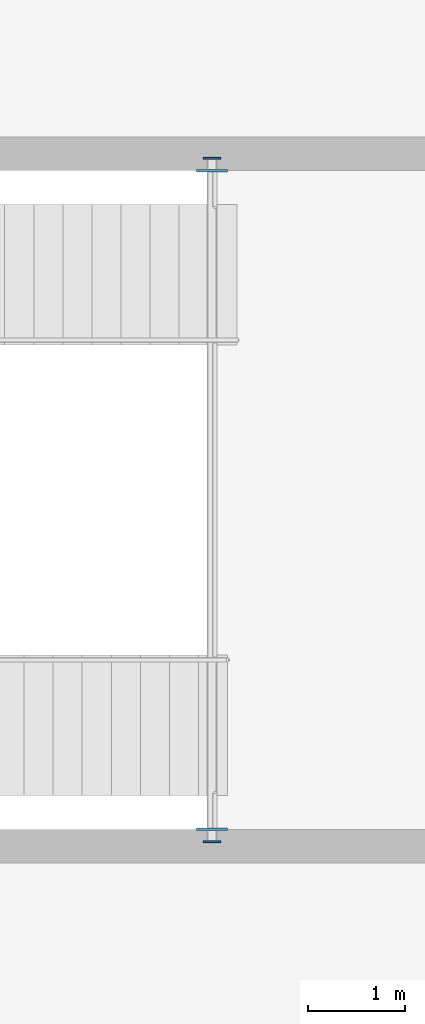
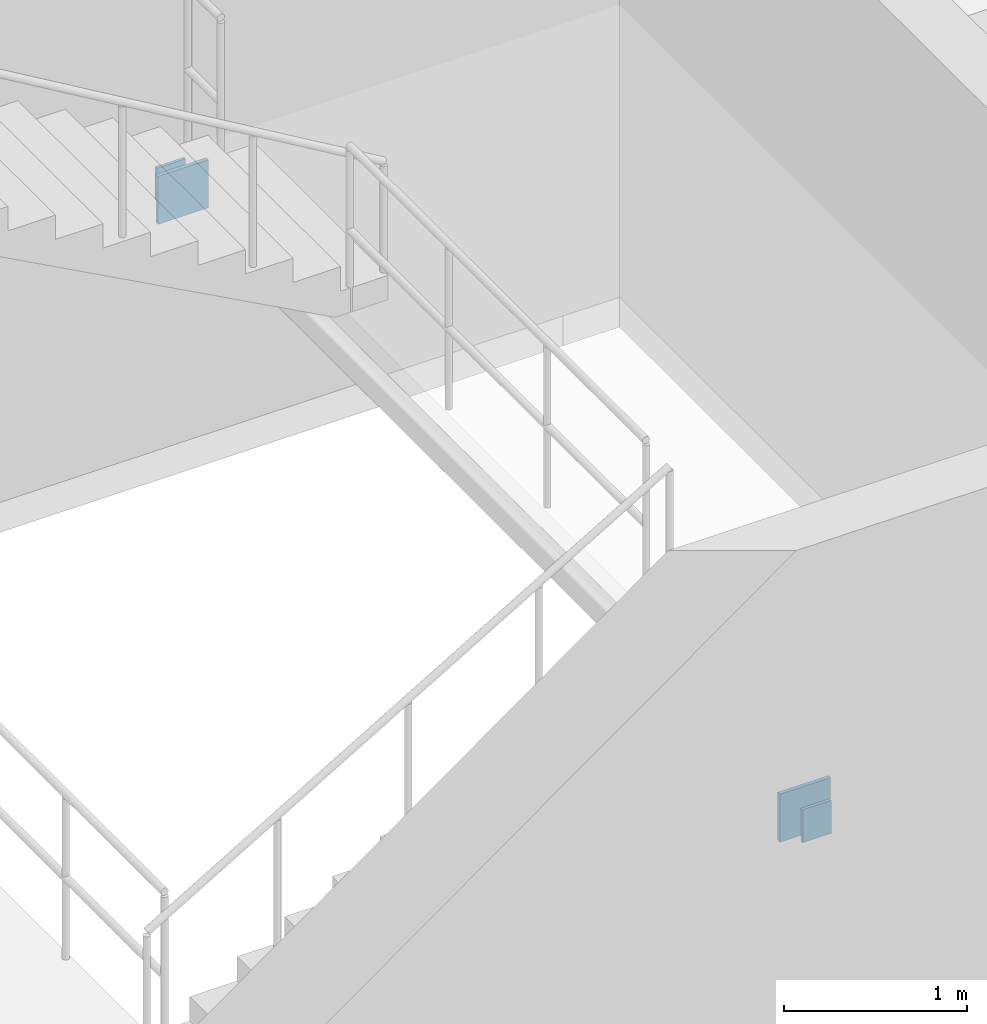
# One storey, part 26 of 41: 4 plates.
"""IFC4 building model written with IfcOpenShell, lengths in metres."""

from ifc_helpers import new_model, si_unit, direction, frame, origin, origin_2d, place, context, subcontext, project, spatial, rectangle, extrude, material, layer, layer_set, type_object, element, save


model = new_model("IFC4")

# Units and contexts
model_context = context("Model", 3, precision=1e-05, world=origin(), true_north=direction((0.0, 1.0)))
body_context = subcontext(model_context, "Body", "Model", "MODEL_VIEW")
ifc_project = project(units=[si_unit("LENGTHUNIT", "METRE"), si_unit("AREAUNIT", "SQUARE_METRE"), si_unit("VOLUMEUNIT", "CUBIC_METRE"), si_unit("PLANEANGLEUNIT", "RADIAN"), si_unit("MASSUNIT", "GRAM", prefix="KILO"), si_unit("THERMODYNAMICTEMPERATUREUNIT", "KELVIN"), si_unit("POWERUNIT", "WATT")], contexts=[model_context])

# Site, building, storey
site_placement = place(None, origin())
site = spatial("IfcSite", under=ifc_project, at=site_placement, CompositionType="ELEMENT")
building_placement = place(site_placement, origin())
building = spatial("IfcBuilding", under=site, at=building_placement, Name="Solvatero Civic Police Headquarters", CompositionType="ELEMENT")
storey_placement = place(building_placement, frame((0.0, 0.0, 17.699951171875)))
storey = spatial("IfcBuildingStorey", under=building, at=storey_placement, Name="L04", CompositionType="ELEMENT", Elevation=17.699951171875)

# Plates
ifc_material = material(Name="Steel S355", Category="steel")
ifc_layer_1 = layer(ifc_material, 0.02001953125)
ifc_layer_set_1 = layer_set([ifc_layer_1], Name="Steel S355")
plate_type_1 = type_object("IfcPlateType", Name="PLT-CAP-20", PredefinedType="SHEET", material=ifc_layer_set_1)
for number, where, z_axis, x_axis, name in (
    (1, (89.639892578125, 75.070068359375, 1.56494140625), (0.0, 0.0, 1.0), (1.0, 0.0, 0.0), "Hollow Section Cap Plate 0049"),
    (2, (89.639892578125, 82.1298828125, 1.56494140625), (0.0, 0.0, 1.0), (1.0, 0.0, 0.0), "Hollow Section Cap Plate 0050"),
):
    element("IfcPlate", number, at=place(storey_placement, frame(where, z_axis=z_axis, x_axis=x_axis)), inside=storey, type_object=plate_type_1, Name=name, PredefinedType="SHEET", context=body_context, shape_type="SweptSolid", body=[
        extrude(rectangle(XDim=0.179931640625, YDim=0.02001953125, at=origin_2d()), origin(), (0.0, 0.0, 1.0), 0.219970703125),
    ])
ifc_layer_2 = layer(ifc_material, 0.02490234375)
ifc_layer_set_2 = layer_set([ifc_layer_2], Name="Steel S355")
plate_type_2 = type_object("IfcPlateType", Name="PLT-EMB-25", PredefinedType="SHEET", material=ifc_layer_set_2)
for number, where, z_axis, x_axis, name in (
    (3, (89.639892578125, 75.199951171875, 1.51513671875), (0.0, 0.0, 1.0), (1.0, 0.0, 0.0), "Cast-In Shear Wall Embed Plate 0049"),
    (4, (89.639892578125, 82.0, 1.51513671875), (0.0, 0.0, 1.0), (1.0, 0.0, 0.0), "Cast-In Shear Wall Embed Plate 0050"),
):
    element("IfcPlate", number, at=place(storey_placement, frame(where, z_axis=z_axis, x_axis=x_axis)), inside=storey, type_object=plate_type_2, Name=name, PredefinedType="SHEET", context=body_context, shape_type="SweptSolid", body=[
        extrude(rectangle(XDim=0.320068359375, YDim=0.02490234375, at=origin_2d()), origin(), (0.0, 0.0, 1.0), 0.320068359375),
    ])

save(model, "model.ifc")
